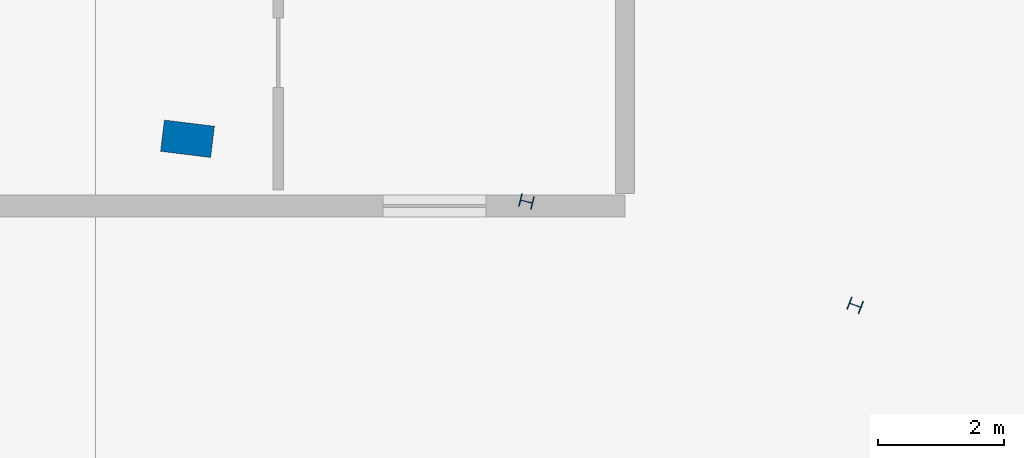
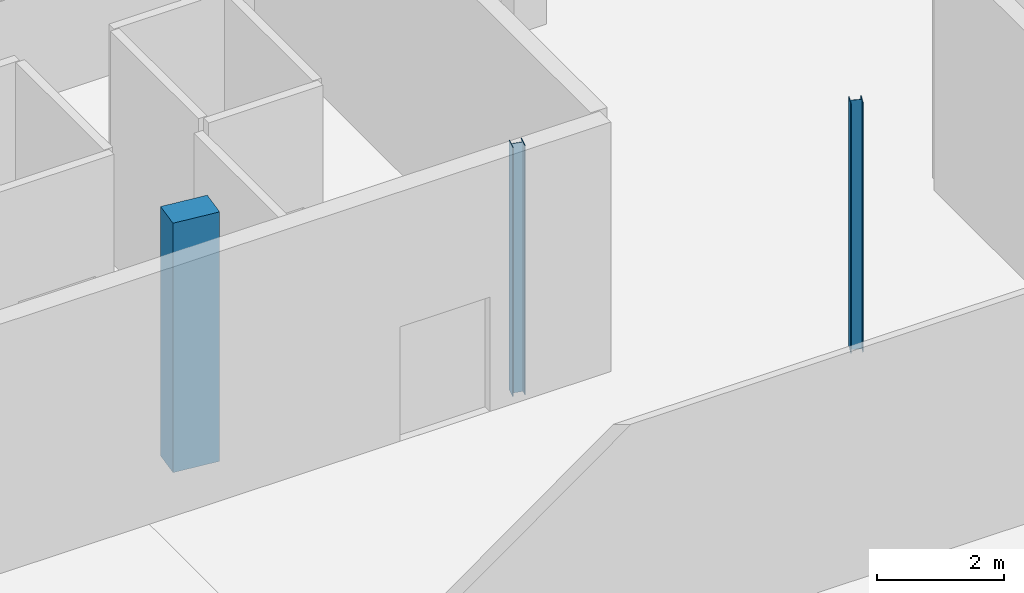
# One storey, part 34 of 226: 3 columns.
"""IFC4 building model written with IfcOpenShell, lengths in metres."""

from ifc_helpers import new_model, si_unit, direction, frame, origin, origin_2d, place, context, subcontext, project, spatial, rectangle, i_section, extrude, material, material_profile, profile_set, type_object, element, save


model = new_model("IFC4")

# Units and contexts
model_context = context("Model", 3, precision=1e-05, world=origin(), true_north=direction((0.0, 1.0)))
body_context = subcontext(model_context, "Body", "Model", "MODEL_VIEW")
ifc_project = project(units=[si_unit("LENGTHUNIT", "METRE"), si_unit("AREAUNIT", "SQUARE_METRE"), si_unit("VOLUMEUNIT", "CUBIC_METRE"), si_unit("PLANEANGLEUNIT", "RADIAN"), si_unit("MASSUNIT", "GRAM", prefix="KILO")], contexts=[model_context])

# Site, building, storey
site_placement = place(None, origin())
site = spatial("IfcSite", under=ifc_project, at=site_placement, CompositionType="ELEMENT")
building_placement = place(site_placement, origin())
building = spatial("IfcBuilding", under=site, at=building_placement, Name="Tarnwether General Hospital", CompositionType="ELEMENT")
storey_placement = place(building_placement, frame((0.0, 0.0, 4.800048828125)))
storey = spatial("IfcBuildingStorey", under=building, at=storey_placement, Name="L01", CompositionType="ELEMENT", Elevation=4.800048828125)

# Columns
ifc_material_1 = material(Name="Concrete 50 MPa", Category="concrete")
ifc_material_profile_1 = material_profile(ifc_material_1, rectangle(XDim=0.5, YDim=0.800048828125, at=origin_2d()), Name="RC-PIL-500x800")
ifc_profile_set_1 = profile_set([ifc_material_profile_1], Name="Concrete 50 MPa")
column_type_1 = type_object("IfcColumnType", Name="COL-23", PredefinedType="PILASTER", material=ifc_profile_set_1)
column_1_placement = place(storey_placement, frame((97.4599609375, 107.466064453125, 0.0), z_axis=(0.0, 0.0, 1.0), x_axis=(0.121869343405, 0.992546151641, 0.0)))
element("IfcColumn", 1, at=column_1_placement, inside=storey, type_object=column_type_1, Name="Column COLG-L01-9746_10747", PredefinedType="PILASTER", context=body_context, shape_type="SweptSolid", body=[
    extrude(rectangle(XDim=0.5, YDim=0.800048828125, at=origin_2d()), origin(), (0.0, 0.0, 1.0), 4.800048828125),
])
ifc_material_2 = material(Name="Steel Grade 350 (350 MPa)", Category="steel")
ifc_material_profile_2 = material_profile(ifc_material_2, i_section(OverallWidth=0.205078125, OverallDepth=0.2099609375, WebThickness=0.00927734375, FlangeThickness=0.01416015625, at=origin_2d()), Name="200UC59.5")
ifc_profile_set_2 = profile_set([ifc_material_profile_2], Name="Steel Grade 350 (350 MPa)")
column_type_2 = type_object("IfcColumnType", Name="COL-25", PredefinedType="COLUMN", material=ifc_profile_set_2)
column_2_placement = place(storey_placement, frame((102.837890625, 106.468994140625, 0.0), z_axis=(0.0, 0.0, 1.0), x_axis=(0.2419218956, 0.970295726276, 0.0)))
element("IfcColumn", 2, at=column_2_placement, inside=storey, type_object=column_type_2, Name="Column COLG-L01-10284_10647", PredefinedType="COLUMN", context=body_context, shape_type="SweptSolid", body=[
    extrude(i_section(OverallWidth=0.205078125, OverallDepth=0.2099609375, WebThickness=0.00927734375, FlangeThickness=0.01416015625, at=origin_2d()), origin(), (0.0, 0.0, 1.0), 4.800048828125),
])
ifc_material_3 = material(Name="Steel Grade 350 (350 MPa)", Category="steel")
ifc_material_profile_3 = material_profile(ifc_material_3, i_section(OverallWidth=0.202880859375, OverallDepth=0.202880859375, WebThickness=0.00732421875, FlangeThickness=0.010986328125, at=origin_2d()), Name="200UC46.2")
ifc_profile_set_3 = profile_set([ifc_material_profile_3], Name="Steel Grade 350 (350 MPa)")
column_type_3 = type_object("IfcColumnType", Name="COL-27", PredefinedType="COLUMN", material=ifc_profile_set_3)
column_3_placement = place(storey_placement, frame((108.054931640625, 104.823974609375, 0.0), z_axis=(0.0, 0.0, 1.0), x_axis=(0.358367949545, 0.933580426497, 0.0)))
element("IfcColumn", 3, at=column_3_placement, inside=storey, type_object=column_type_3, Name="Column COLG-L01-10806_10482", PredefinedType="COLUMN", context=body_context, shape_type="SweptSolid", body=[
    extrude(i_section(OverallWidth=0.202880859375, OverallDepth=0.202880859375, WebThickness=0.00732421875, FlangeThickness=0.010986328125, at=origin_2d()), origin(), (0.0, 0.0, 1.0), 4.800048828125),
])

save(model, "model.ifc")
